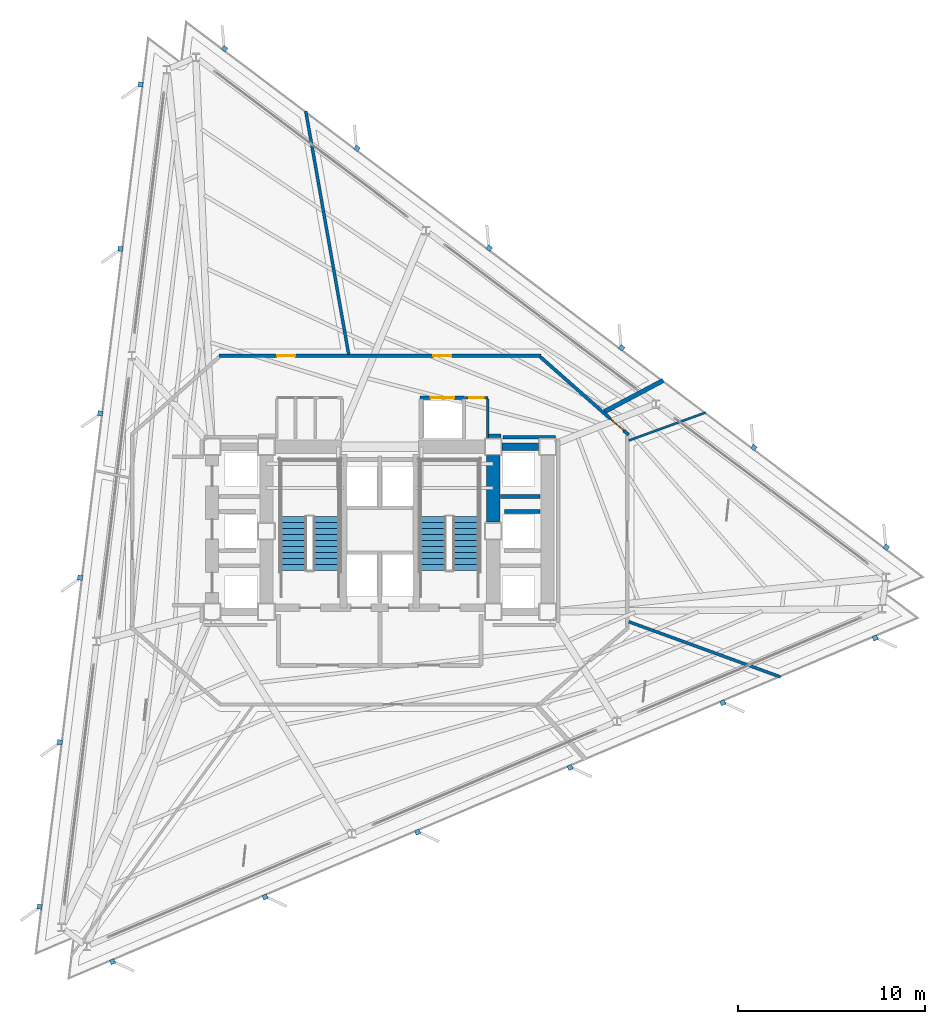
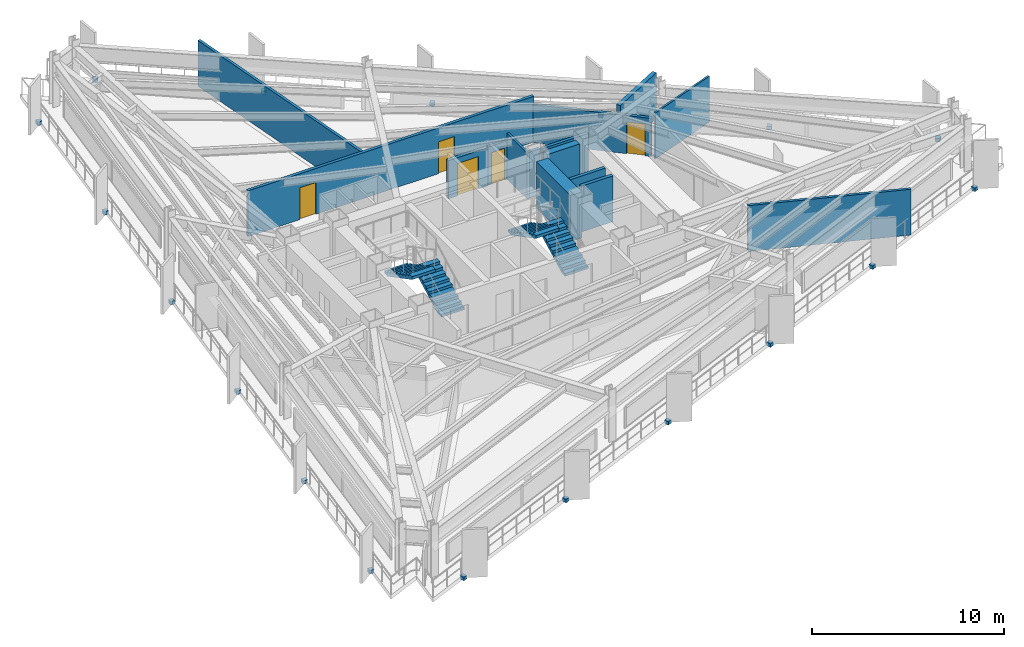
# One storey, part 8 of 13: 18 discrete accessories, 15 walls, 5 doors, 4 stair flights, 5 openings, 2 elements without a shape of their own.
"""IFC4 building model written with IfcOpenShell, lengths in metres."""

import ifcopenshell
import ifcopenshell.guid

model = None  # the IFC model being written
_history = None  # IfcOwnerHistory: only IFC2X3 demands one
_inside = {}  # id of a spatial element -> (the spatial element, [elements in it])
_under = {}  # id of a project, library or spatial element -> (it, [spatial elements below it])
_declared = {}  # id of a project -> (the project, [libraries it declares])
_typed = {}  # id of a type object -> (the type object, [elements of that type])
_made_of = {}  # id of a material, layer set ... -> (it, [elements and type objects made of it])


def new_model(schema):
    """Start an empty IFC model of exactly this schema.

    Asked for "IFC4X3", IfcOpenShell would pick the latest addendum, in which some entities
    have other attributes; the version numbers below select the first issue.
    IFC2X3 requires an IfcOwnerHistory on every rooted entity: one is made here for all.
    """
    global model, _history
    if schema == "IFC4X3":
        model = ifcopenshell.file(schema_version=(4, 3, 0, 0))
    else:
        model = ifcopenshell.file(schema=schema)
    _inside.clear()
    _under.clear()
    _declared.clear()
    _typed.clear()
    _made_of.clear()
    _history = None
    if model.schema == "IFC2X3":
        org = make("IfcOrganization", Name="unknown")
        user = make(
            "IfcPersonAndOrganization",
            ThePerson=make("IfcPerson", FamilyName="unknown"),
            TheOrganization=org,
        )
        app = make(
            "IfcApplication",
            ApplicationDeveloper=org,
            Version="unknown",
            ApplicationFullName="unknown",
            ApplicationIdentifier="unknown",
        )
        _history = make(
            "IfcOwnerHistory",
            OwningUser=user,
            OwningApplication=app,
            ChangeAction="ADDED",
            CreationDate=0,
        )
    return model


def make(cls, **values):
    """One entity of the class cls with the attributes given. An attribute that is None is left unset."""
    return model.create_entity(
        cls, **{name: value for name, value in values.items() if value is not None}
    )


def rooted(cls, **values):
    """An entity with a GlobalId (a new one), such as an element, a storey or a relation."""
    return make(cls, GlobalId=ifcopenshell.guid.new(), OwnerHistory=_history, **values)


def si_unit(unit_type, name, prefix=None):
    """IfcSIUnit, for example si_unit("LENGTHUNIT", "METRE", prefix="MILLI")."""
    return make("IfcSIUnit", UnitType=unit_type, Prefix=prefix, Name=name)


def assignment(units):
    """IfcUnitAssignment: the units of a project."""
    return None if units is None else make("IfcUnitAssignment", Units=units)


def point(xyz):
    """IfcCartesianPoint."""
    return None if xyz is None else make("IfcCartesianPoint", Coordinates=xyz)


def direction(xyz):
    """IfcDirection."""
    return None if xyz is None else make("IfcDirection", DirectionRatios=xyz)


def frame(location, z_axis=None, x_axis=None):
    """IfcAxis2Placement3D, a coordinate frame: its origin and axes. An axis left out is left unset."""
    return make(
        "IfcAxis2Placement3D",
        Location=point(location),
        Axis=direction(z_axis),
        RefDirection=direction(x_axis),
    )


def frame_2d(location, x_axis=None):
    """IfcAxis2Placement2D, a coordinate frame in the plane: its origin and x axis."""
    return make(
        "IfcAxis2Placement2D", Location=point(location), RefDirection=direction(x_axis)
    )


def origin():
    """The frame at (0, 0, 0) with its axes left unset."""
    return frame((0.0, 0.0, 0.0))


def origin_2d():
    """The frame at (0, 0) in the plane with its x axis left unset."""
    return frame_2d((0.0, 0.0))


def place(relative_to, where):
    """IfcLocalPlacement: puts the frame where relative to a parent placement (None: the world)."""
    return make(
        "IfcLocalPlacement", PlacementRelTo=relative_to, RelativePlacement=where
    )


def context(
    kind, dimensions, precision=None, world=None, true_north=None, identifier=None
):
    """IfcGeometricRepresentationContext, for example the 3D "Model" context."""
    return make(
        "IfcGeometricRepresentationContext",
        ContextIdentifier=identifier,
        ContextType=kind,
        CoordinateSpaceDimension=dimensions,
        Precision=precision,
        WorldCoordinateSystem=world,
        TrueNorth=true_north,
    )


def subcontext(parent, identifier, kind, view, scale=None):
    """IfcGeometricRepresentationSubContext, for example "Body" below "Model"."""
    return make(
        "IfcGeometricRepresentationSubContext",
        ContextIdentifier=identifier,
        ContextType=kind,
        ParentContext=parent,
        TargetScale=scale,
        TargetView=view,
    )


def project(units=None, contexts=None):
    """IfcProject with its units and contexts."""
    return rooted(
        "IfcProject",
        Name="project",
        RepresentationContexts=contexts,
        UnitsInContext=assignment(units),
    )


def spatial(cls, under=None, at=None, **own):
    """A site, building, storey or space (cls), placed at a placement, below another one or the project."""
    s = rooted(cls, ObjectPlacement=at, **own)
    if under is not None:
        _under.setdefault(under.id(), (under, []))[1].append(s)
    return s


def polyline(points):
    """IfcPolyline through the points."""
    return make("IfcPolyline", Points=[point(p) for p in points])


def profile(cls, at=None, kind="AREA", **sizes):
    """A parametric profile (cls). Its sizes go by their IFC names, for example OverallWidth=200.0."""
    return make(cls, ProfileType=kind, Position=at, **sizes)


def rectangle(**sizes):
    """IfcRectangleProfileDef."""
    return profile("IfcRectangleProfileDef", **sizes)


def outline(outer, holes=None, kind="AREA"):
    """IfcArbitraryClosedProfileDef: a profile drawn as a closed curve; with holes, ...WithVoids."""
    if holes is None:
        return make("IfcArbitraryClosedProfileDef", ProfileType=kind, OuterCurve=outer)
    return make(
        "IfcArbitraryProfileDefWithVoids",
        ProfileType=kind,
        OuterCurve=outer,
        InnerCurves=holes,
    )


def extrude(swept, where, along, depth):
    """IfcExtrudedAreaSolid: the profile swept, set in the frame where, extruded along a direction by depth."""
    return make(
        "IfcExtrudedAreaSolid",
        SweptArea=swept,
        Position=where,
        ExtrudedDirection=direction(along),
        Depth=depth,
    )


def shape(context_of_items, identifier, shape_type, items):
    """IfcShapeRepresentation: the items that make up one representation, for example the "Body"."""
    return make(
        "IfcShapeRepresentation",
        ContextOfItems=context_of_items,
        RepresentationIdentifier=identifier,
        RepresentationType=shape_type,
        Items=items,
    )


def material(Name=None, Category=None):
    """IfcMaterial."""
    return make("IfcMaterial", Name=Name, Category=Category)


def layer(
    of_material, thickness, ventilated=None, Name=None, Category=None, Priority=None
):
    """IfcMaterialLayer: one layer of a wall or slab, of a material (None: an air gap)."""
    return make(
        "IfcMaterialLayer",
        Material=of_material,
        LayerThickness=thickness,
        IsVentilated=ventilated,
        Name=Name,
        Category=Category,
        Priority=Priority,
    )


def layer_set(layers, Name=None):
    """IfcMaterialLayerSet."""
    return make("IfcMaterialLayerSet", MaterialLayers=layers, LayerSetName=Name)


def made_of(thing, what):
    """Note that an element or type object is made of a material, layer set ...; save() writes the relation."""
    if what is not None:
        _made_of.setdefault(what.id(), (what, []))[1].append(thing)
    return thing


def type_object(cls, material=None, **own):
    """A type object (cls), such as IfcWallType, which elements share."""
    return made_of(rooted(cls, **own), material)


def element(
    cls,
    number,
    at=None,
    inside=None,
    cuts=None,
    type_object=None,
    material=None,
    context=None,
    identifier="Body",
    shape_type=None,
    held_by="IfcProductDefinitionShape",
    body=None,
    shapes=None,
    **own,
):
    """One element of the class cls, such as IfcWall. Its Tag is "e" and its number.

    at: its placement. inside: the storey or other place that contains it. cuts: it is an
    opening in that element (IfcRelVoidsElement). A single representation is given by context,
    identifier, shape_type and body (its items); several are given by shapes. held_by: the class
    of the entity that holds the representations. save() writes the other relations.
    """
    e = rooted(cls, Tag="e%d" % number, ObjectPlacement=at, **own)
    if body is not None:
        shapes = [shape(context, identifier, shape_type, body)]
    if shapes is not None:
        e.Representation = make(held_by, Representations=shapes)
    if inside is not None:
        _inside.setdefault(inside.id(), (inside, []))[1].append(e)
    if cuts is not None:
        rooted(
            "IfcRelVoidsElement", RelatingBuildingElement=cuts, RelatedOpeningElement=e
        )
    if type_object is not None:
        _typed.setdefault(type_object.id(), (type_object, []))[1].append(e)
    return made_of(e, material)


def fill(opening, filler):
    """IfcRelFillsElement: the door or window that sits in an opening."""
    return rooted(
        "IfcRelFillsElement",
        RelatingOpeningElement=opening,
        RelatedBuildingElement=filler,
    )


def aggregate(whole, parts):
    """IfcRelAggregates: a whole, such as a stair, and the parts it consists of."""
    return rooted("IfcRelAggregates", RelatingObject=whole, RelatedObjects=parts)


def save(model, path):
    """Write the relations noted so far, then the file.

    IfcRelAggregates (storeys below a building ...), IfcRelContainedInSpatialStructure (elements
    in a storey), IfcRelDefinesByType, IfcRelAssociatesMaterial and IfcRelDeclares: one each for
    every whole, place, type object, material and project.
    """
    for whole, parts in _under.values():
        aggregate(whole, parts)
    for where, things in _inside.values():
        rooted(
            "IfcRelContainedInSpatialStructure",
            RelatedElements=things,
            RelatingStructure=where,
        )
    for kind, things in _typed.values():
        rooted("IfcRelDefinesByType", RelatedObjects=things, RelatingType=kind)
    for what, things in _made_of.values():
        rooted("IfcRelAssociatesMaterial", RelatedObjects=things, RelatingMaterial=what)
    for by, libraries in _declared.values():
        rooted("IfcRelDeclares", RelatingContext=by, RelatedDefinitions=libraries)
    model.write(path)


model = new_model("IFC4")

# Units and contexts
model_context = context("Model", 3, precision=1e-05, world=origin(), true_north=direction((0.0, 1.0)))
body_context = subcontext(model_context, "Body", "Model", "MODEL_VIEW")
ifc_project = project(units=[si_unit("LENGTHUNIT", "METRE"), si_unit("AREAUNIT", "SQUARE_METRE"), si_unit("VOLUMEUNIT", "CUBIC_METRE"), si_unit("PLANEANGLEUNIT", "RADIAN"), si_unit("MASSUNIT", "GRAM", prefix="KILO")], contexts=[model_context])

# Site, building, storey
site_placement = place(None, origin())
site = spatial("IfcSite", under=ifc_project, at=site_placement, CompositionType="ELEMENT")
building_placement = place(site_placement, origin())
building = spatial("IfcBuilding", under=site, at=building_placement, Name="Rocaltana Carrier Exchange", CompositionType="ELEMENT")
storey_placement = place(building_placement, frame((0.0, 0.0, 73.1201171875)))
storey = spatial("IfcBuildingStorey", under=building, at=storey_placement, Name="L22", CompositionType="ELEMENT", Elevation=73.1201171875)

# Walls
ifc_material_1 = material(Name="Double Acoustic Gypsum Partition", Category="gypsum")
ifc_layer_1 = layer(ifc_material_1, 0.159912109375)
ifc_layer_set_1 = layer_set([ifc_layer_1], Name="Double Acoustic Gypsum Partition")
wall_type_1 = type_object("IfcWallType", Name="Acoustic Studio Partition 160 EI60", PredefinedType="PARTITIONING", material=ifc_layer_set_1)
wall_1_placement = place(storey_placement, frame((13.280029296875, -4.83349609375, 0.0), z_axis=(0.0, 0.0, 1.0), x_axis=(0.939687597414, -0.342033944611, 0.0)))
element("IfcWall", 1, at=wall_1_placement, inside=storey, type_object=wall_type_1, Name="L22 Suite Divider Wall D3", PredefinedType="PARTITIONING", context=body_context, shape_type="SweptSolid", body=[
    extrude(rectangle(XDim=8.62548828125, YDim=0.159912109375, at=frame_2d((4.312744140625, 0.0))), origin(), (0.0, 0.0, 1.0), 2.912841796875),
])
wall_2_placement = place(storey_placement, frame((-1.662841796875, 9.429931640625, 0.0), z_axis=(0.0, 0.0, 1.0), x_axis=(-0.17364798238, 0.984807787446, 0.0)))
element("IfcWall", 2, at=wall_2_placement, inside=storey, type_object=wall_type_1, Name="L22 Suite Divider Wall D6", PredefinedType="PARTITIONING", context=body_context, shape_type="SweptSolid", body=[
    extrude(rectangle(XDim=13.18212890625, YDim=0.159912109375, at=frame_2d((6.591064453125, 0.0))), origin(), (0.0, 0.0, 1.0), 2.912841796875),
])
ifc_material_2 = material(Name="Concrete C50/60", Category="concrete")
ifc_layer_2 = layer(ifc_material_2, 0.39990234375)
ifc_layer_set_2 = layer_set([ifc_layer_2], Name="Concrete C50/60")
wall_type_2 = type_object("IfcWallType", Name="Core Internal Shear Wall 400", PredefinedType="SHEAR", material=ifc_layer_set_2)
wall_3_placement = place(storey_placement, frame((6.52490234375, 4.5, 0.0), z_axis=(0.0, 0.0, 1.0), x_axis=(1.0, 0.0, 0.0)))
element("IfcWall", 3, at=wall_3_placement, inside=storey, type_object=wall_type_2, Name="L22 Core Shear Wall CW-EWN", PredefinedType="SHEAR", context=body_context, shape_type="SweptSolid", body=[
    extrude(rectangle(XDim=1.9501953125, YDim=0.39990234375, at=frame_2d((0.97509765625, 0.0))), origin(), (0.0, 0.0, 1.0), 2.93798828125),
])
ifc_material_3 = material(Name="Concrete C60/75", Category="concrete")
ifc_layer_3 = layer(ifc_material_3, 0.699951171875)
ifc_layer_set_3 = layer_set([ifc_layer_3], Name="Concrete C60/75")
wall_type_3 = type_object("IfcWallType", Name="Core Shear Wall 700", PredefinedType="SHEAR", material=ifc_layer_set_3)
wall_4_placement = place(storey_placement, frame((6.050048828125, 0.47509765625, 0.0), z_axis=(0.0, 0.0, 1.0), x_axis=(0.0, 1.0, 0.0)))
element("IfcWall", 4, at=wall_4_placement, inside=storey, type_object=wall_type_3, Name="L22 Core Shear Wall CW-EN", PredefinedType="SHEAR", context=body_context, shape_type="SweptSolid", body=[
    extrude(rectangle(XDim=3.5498046875, YDim=0.699951171875, at=frame_2d((1.77490234375, 0.0))), origin(), (0.0, 0.0, 1.0), 2.93798828125),
])

# Wall, openings, doors
ifc_material_4 = material(Name="Gypsum & Steel Stud Partition", Category="steel")
ifc_layer_4 = layer(ifc_material_4, 0.179931640625)
ifc_layer_set_4 = layer_set([ifc_layer_4], Name="Gypsum & Steel Stud Partition")
wall_type_4 = type_object("IfcWallType", Name="Corridor Fire Partition 180 EI60", PredefinedType="PARTITIONING", material=ifc_layer_set_4)
wall_5_placement = place(storey_placement, frame((-8.590087890625, 9.35009765625, 0.0), z_axis=(0.0, 0.0, 1.0), x_axis=(1.0, 0.0, 0.0)))
wall_5 = element("IfcWall", 5, at=wall_5_placement, inside=storey, type_object=wall_type_4, Name="L22 Corridor Partition 1", PredefinedType="PARTITIONING", context=body_context, shape_type="SweptSolid", body=[
    extrude(rectangle(XDim=17.18017578125, YDim=0.179931640625, at=frame_2d((8.590087890625, 0.0))), origin(), (0.0, 0.0, 1.0), 2.912841796875),
])
opening_1_placement = place(wall_5_placement, frame((11.444091796875, 0.0, 0.0)))
opening_1 = element("IfcOpeningElement", 6, at=opening_1_placement, cuts=wall_5, Name="Opening D-RM098", PredefinedType="OPENING", context=body_context, shape_type="SweptSolid", body=[
    extrude(rectangle(XDim=0.9599609375, YDim=2.02001953125, at=frame_2d((0.47998046875, 1.010009765625))), frame((0.0, 0.099853515625, 0.0), z_axis=(0.0, -1.0, 0.0), x_axis=(1.0, 0.0, 0.0)), (0.0, 0.0, 1.0), 0.199951171875),
])
opening_2_placement = place(wall_5_placement, frame((3.11328125, 0.0, 0.0)))
opening_2 = element("IfcOpeningElement", 7, at=opening_2_placement, cuts=wall_5, Name="Opening D-RM098", PredefinedType="OPENING", context=body_context, shape_type="SweptSolid", body=[
    extrude(rectangle(XDim=0.9599609375, YDim=2.02001953125, at=frame_2d((0.47998046875, 1.010009765625))), frame((0.0, 0.099853515625, 0.0), z_axis=(0.0, -1.0, 0.0), x_axis=(1.0, 0.0, 0.0)), (0.0, 0.0, 1.0), 0.199951171875),
])
ifc_material_5 = material(Name="Engineered Hardwood Timber", Category="wood")
door_type_1 = type_object("IfcDoorType", Name="Workspace Single Door 960x2020", OperationType="NOTDEFINED", PredefinedType="DOOR", material=ifc_material_5)
door_1_placement = place(opening_1_placement, origin())
door_1 = element("IfcDoor", 8, at=door_1_placement, inside=storey, type_object=door_type_1, Name="L22 Network Operations Office Entrance Door", OperationType="SINGLE_SWING_RIGHT", OverallHeight=2.02001953125, OverallWidth=0.9599609375, PredefinedType="DOOR", context=body_context, shape_type="SweptSolid", body=[
    extrude(rectangle(XDim=0.9599609375, YDim=2.02001953125, at=frame_2d((0.47998046875, 1.010009765625))), frame((0.0, 0.02490234375, 0.0), z_axis=(0.0, -1.0, 0.0), x_axis=(1.0, 0.0, 0.0)), (0.0, 0.0, 1.0), 0.050048828125),
])
fill(opening_1, door_1)
door_2_placement = place(opening_2_placement, origin())
door_2 = element("IfcDoor", 9, at=door_2_placement, inside=storey, type_object=door_type_1, Name="L22 Quiet Focus Lounge Entrance Door", OperationType="SINGLE_SWING_LEFT", OverallHeight=2.02001953125, OverallWidth=0.9599609375, PredefinedType="DOOR", context=body_context, shape_type="SweptSolid", body=[
    extrude(rectangle(XDim=0.9599609375, YDim=2.02001953125, at=frame_2d((0.47998046875, 1.010009765625))), frame((0.0, 0.02490234375, 0.0), z_axis=(0.0, -1.0, 0.0), x_axis=(1.0, 0.0, 0.0)), (0.0, 0.0, 1.0), 0.050048828125),
])
fill(opening_2, door_2)

# Wall, opening, door
wall_6_placement = place(storey_placement, frame((8.5673828125, 9.290283203125, 0.0), z_axis=(0.0, 0.0, 1.0), x_axis=(0.749626463267, -0.66186113768, 0.0)))
wall_6 = element("IfcWall", 10, at=wall_6_placement, inside=storey, type_object=wall_type_4, Name="L22 Corridor Partition 2", PredefinedType="PARTITIONING", context=body_context, shape_type="SweptSolid", body=[
    extrude(rectangle(XDim=6.27001953125, YDim=0.179931640625, at=frame_2d((3.135009765625, 0.0))), origin(), (0.0, 0.0, 1.0), 2.427001953125),
])
opening_3_placement = place(wall_6_placement, frame((4.972412109375, 0.0, 0.0)))
opening_3 = element("IfcOpeningElement", 11, at=opening_3_placement, cuts=wall_6, Name="Opening D-RM098", PredefinedType="OPENING", context=body_context, shape_type="SweptSolid", body=[
    extrude(rectangle(XDim=0.9599609375, YDim=2.02001953125, at=frame_2d((0.47998046875, 1.010009765625))), frame((0.0, 0.099853515625, 0.0), z_axis=(0.0, -1.0, 0.0), x_axis=(1.0, 0.0, 0.0)), (0.0, 0.0, 1.0), 0.199951171875),
])
door_3_placement = place(opening_3_placement, origin())
door_3 = element("IfcDoor", 12, at=door_3_placement, inside=storey, type_object=door_type_1, Name="L22 Peering Conference Room Entrance Door", OperationType="SINGLE_SWING_LEFT", OverallHeight=2.02001953125, OverallWidth=0.9599609375, PredefinedType="DOOR", context=body_context, shape_type="SweptSolid", body=[
    extrude(rectangle(XDim=0.9599609375, YDim=2.02001953125, at=frame_2d((0.47998046875, 1.010009765625))), frame((0.0, 0.02490234375, 0.0), z_axis=(0.0, -1.0, 0.0), x_axis=(1.0, 0.0, 0.0)), (0.0, 0.0, 1.0), 0.050048828125),
])
fill(opening_3, door_3)

# Walls
wall_7_placement = place(storey_placement, frame((9.3701171875, 5.010009765625, 0.0), z_axis=(0.0, 0.0, 1.0), x_axis=(-1.0, 0.0, 0.0)))
element("IfcWall", 13, at=wall_7_placement, inside=storey, type_object=wall_type_4, Name="L22 Corridor Partition 18", PredefinedType="PARTITIONING", context=body_context, shape_type="SweptSolid", body=[
    extrude(rectangle(XDim=2.807861328125, YDim=0.179931640625, at=frame_2d((1.40380859375, 0.0))), origin(), (0.0, 0.0, 1.0), 2.912841796875),
])
wall_8_placement = place(storey_placement, frame((6.469970703125, 5.080078125, 0.0), z_axis=(0.0, 0.0, 1.0), x_axis=(-1.0, 0.0, 0.0)))
element("IfcWall", 14, at=wall_8_placement, inside=storey, type_object=wall_type_4, Name="L22 Corridor Partition 19", PredefinedType="PARTITIONING", context=body_context, shape_type="SweptSolid", body=[
    extrude(rectangle(XDim=0.679931640625, YDim=0.179931640625, at=frame_2d((0.33984375, 0.0))), origin(), (0.0, 0.0, 1.0), 2.912841796875),
])
ifc_material_6 = material(Name="Aluminium 6063-T6 & Acoustic Glass", Category="aluminium")
ifc_layer_5 = layer(ifc_material_6, 0.114990234375)
ifc_layer_set_5 = layer_set([ifc_layer_5], Name="Aluminium 6063-T6 & Acoustic Glass")
wall_type_5 = type_object("IfcWallType", Name="Demountable Glazed Lab Partition 115", PredefinedType="MOVABLE", material=ifc_layer_set_5)
wall_9_placement = place(storey_placement, frame((13.280029296875, 4.83349609375, 0.0), z_axis=(0.0, 0.0, 1.0), x_axis=(0.939689084441, 0.342029859198, 0.0)))
element("IfcWall", 15, at=wall_9_placement, inside=storey, type_object=wall_type_5, Name="L22 Suite Divider Wall D4", PredefinedType="MOVABLE", context=body_context, shape_type="SweptSolid", body=[
    extrude(rectangle(XDim=4.374267578125, YDim=0.114990234375, at=frame_2d((2.18701171875, 0.0))), origin(), (0.0, 0.0, 1.0), 2.912841796875),
])
ifc_material_7 = material(Name="Acoustic Calcium Silicate Partition", Category="gypsum")
ifc_layer_6 = layer(ifc_material_7, 0.239990234375)
ifc_layer_set_6 = layer_set([ifc_layer_6], Name="Acoustic Calcium Silicate Partition")
wall_type_6 = type_object("IfcWallType", Name="Heavy Lab Partition 240 EI90", PredefinedType="PARTITIONING", material=ifc_layer_set_6)
wall_10_placement = place(storey_placement, frame((11.989990234375, 6.375244140625, 0.0), z_axis=(0.0, 0.0, 1.0), x_axis=(0.882950733712, 0.469465655654, 0.0)))
element("IfcWall", 16, at=wall_10_placement, inside=storey, type_object=wall_type_6, Name="L22 Suite Divider Wall D5", PredefinedType="PARTITIONING", context=body_context, shape_type="SweptSolid", body=[
    extrude(rectangle(XDim=3.545654296875, YDim=0.239990234375, at=frame_2d((1.77294921875, 0.0))), origin(), (0.0, 0.0, 1.0), 2.912841796875),
])

# Wall, opening, door
ifc_material_8 = material(Name="Reinforced Concrete Block C35/45", Category="concrete")
ifc_layer_7 = layer(ifc_material_8, 0.199951171875)
ifc_layer_set_7 = layer_set([ifc_layer_7], Name="Reinforced Concrete Block C35/45")
wall_type_7 = type_object("IfcWallType", Name="Lift Hoistway Enclosure Wall 200 EI120", PredefinedType="PARTITIONING", material=ifc_layer_set_7)
wall_11_placement = place(storey_placement, frame((2.14990234375, 7.1201171875, 0.0), z_axis=(0.0, 0.0, 1.0), x_axis=(1.0, 0.0, 0.0)))
wall_11 = element("IfcWall", 17, at=wall_11_placement, inside=storey, type_object=wall_type_7, Name="L22 Goods Lift Front Wall", PredefinedType="PARTITIONING", context=body_context, shape_type="SweptSolid", body=[
    extrude(rectangle(XDim=2.380126953125, YDim=0.199951171875, at=frame_2d((1.18994140625, 0.0))), origin(), (0.0, 0.0, 1.0), 2.427001953125),
])
opening_4_placement = place(wall_11_placement, frame((0.56005859375, 0.0, 0.0)))
opening_4 = element("IfcOpeningElement", 18, at=opening_4_placement, cuts=wall_11, Name="Opening LD-130", PredefinedType="OPENING", context=body_context, shape_type="SweptSolid", body=[
    extrude(rectangle(XDim=1.260009765625, YDim=2.06005859375, at=frame_2d((0.6298828125, 1.030029296875))), frame((0.0, 0.10986328125, 0.0), z_axis=(0.0, -1.0, 0.0), x_axis=(1.0, 0.0, 0.0)), (0.0, 0.0, 1.0), 0.219970703125),
])
ifc_material_9 = material(Name="Brushed Stainless Sliding Door Leaf", Category="steel")
door_type_2 = type_object("IfcDoorType", Name="Goods Lift Landing Sliding Door 1260x2060", OperationType="NOTDEFINED", PredefinedType="DOOR", material=ifc_material_9)
door_4_placement = place(opening_4_placement, origin())
door_4 = element("IfcDoor", 19, at=door_4_placement, inside=storey, type_object=door_type_2, Name="L22 Goods Lift GL-1 Landing Door", OperationType="SLIDING_TO_LEFT", OverallHeight=2.06005859375, OverallWidth=1.260009765625, PredefinedType="DOOR", context=body_context, shape_type="SweptSolid", body=[
    extrude(rectangle(XDim=1.260009765625, YDim=2.06005859375, at=frame_2d((0.6298828125, 1.030029296875))), frame((0.0, 0.02490234375, 0.0), z_axis=(0.0, -1.0, 0.0), x_axis=(1.0, 0.0, 0.0)), (0.0, 0.0, 1.0), 0.050048828125),
])
fill(opening_4, door_4)

# Walls
wall_12_placement = place(storey_placement, frame((6.449951171875, 1.85009765625, 0.0), z_axis=(0.0, 0.0, 1.0), x_axis=(1.0, 0.0, 0.0)))
element("IfcWall", 20, at=wall_12_placement, inside=storey, type_object=wall_type_7, Name="L22 Mid-Rise Shaft Divider 2", PredefinedType="PARTITIONING", context=body_context, shape_type="SweptSolid", body=[
    extrude(rectangle(XDim=2.10009765625, YDim=0.199951171875, at=frame_2d((1.050048828125, 0.0))), origin(), (0.0, 0.0, 1.0), 2.912841796875),
])
wall_13_placement = place(storey_placement, frame((6.639892578125, 1.050048828125, 0.0), z_axis=(0.0, 0.0, 1.0), x_axis=(1.0, 0.0, 0.0)))
element("IfcWall", 21, at=wall_13_placement, inside=storey, type_object=wall_type_7, Name="L22 Mid-Rise Center Shaft Wall North", PredefinedType="PARTITIONING", context=body_context, shape_type="SweptSolid", body=[
    extrude(rectangle(XDim=1.91015625, YDim=0.199951171875, at=frame_2d((0.955078125, 0.0))), origin(), (0.0, 0.0, 1.0), 2.912841796875),
])
ifc_material_10 = material(Name="Moisture-Resistant Masonry C30/37", Category="masonry")
ifc_layer_8 = layer(ifc_material_10, 0.139892578125)
ifc_layer_set_8 = layer_set([ifc_layer_8], Name="Moisture-Resistant Masonry C30/37")
wall_type_8 = type_object("IfcWallType", Name="Wet-Area Sanitary Partition 140", PredefinedType="PARTITIONING", material=ifc_layer_set_8)
wall_14_placement = place(storey_placement, frame((5.760009765625, 4.949951171875, 0.0), z_axis=(0.0, 0.0, 1.0), x_axis=(0.0, 1.0, 0.0)))
element("IfcWall", 22, at=wall_14_placement, inside=storey, type_object=wall_type_8, Name="L22 Riser East Wall", PredefinedType="PARTITIONING", context=body_context, shape_type="SweptSolid", body=[
    extrude(rectangle(XDim=2.10009765625, YDim=0.139892578125, at=frame_2d((1.050048828125, 0.0))), origin(), (0.0, 0.0, 1.0), 2.912841796875),
])

# Wall, opening, door
wall_15_placement = place(storey_placement, frame((4.56005859375, 7.1201171875, 0.0), z_axis=(0.0, 0.0, 1.0), x_axis=(1.0, 0.0, 0.0)))
wall_15 = element("IfcWall", 23, at=wall_15_placement, inside=storey, type_object=wall_type_8, Name="L22 Riser North Wall", PredefinedType="PARTITIONING", context=body_context, shape_type="SweptSolid", body=[
    extrude(rectangle(XDim=1.199951171875, YDim=0.139892578125, at=frame_2d((0.60009765625, 0.0))), origin(), (0.0, 0.0, 1.0), 2.427001953125),
])
opening_5_placement = place(wall_15_placement, frame((0.2099609375, 0.0, 0.0)))
opening_5 = element("IfcOpeningElement", 24, at=opening_5_placement, cuts=wall_15, Name="Opening D-RS082", PredefinedType="OPENING", context=body_context, shape_type="SweptSolid", body=[
    extrude(rectangle(XDim=0.780029296875, YDim=2.010009765625, at=frame_2d((0.39013671875, 1.0048828125))), frame((0.0, 0.079833984375, 0.0), z_axis=(0.0, -1.0, 0.0), x_axis=(1.0, 0.0, 0.0)), (0.0, 0.0, 1.0), 0.159912109375),
])
ifc_material_11 = material(Name="Hollow Metal Access Door Leaf", Category="steel")
door_type_3 = type_object("IfcDoorType", Name="Riser & Service Closet Door 780x2010", OperationType="NOTDEFINED", PredefinedType="DOOR", material=ifc_material_11)
door_5_placement = place(opening_5_placement, origin())
door_5 = element("IfcDoor", 25, at=door_5_placement, inside=storey, type_object=door_type_3, Name="L22 Signal Riser Closet Door", OperationType="SINGLE_SWING_RIGHT", OverallHeight=2.010009765625, OverallWidth=0.780029296875, PredefinedType="DOOR", context=body_context, shape_type="SweptSolid", body=[
    extrude(rectangle(XDim=0.780029296875, YDim=2.010009765625, at=frame_2d((0.39013671875, 1.0048828125))), frame((0.0, 0.02490234375, 0.0), z_axis=(0.0, -1.0, 0.0), x_axis=(1.0, 0.0, 0.0)), (0.0, 0.0, 1.0), 0.050048828125),
])
fill(opening_5, door_5)

# Stair, stair flights
ifc_material_12 = material(Name="Precast concrete C45/55", Category="concrete")
stair_type = type_object("IfcStairType", Name="Standard Dog-Leg Stair 160", PredefinedType="HALF_TURN_STAIR", material=ifc_material_12)
stair_1_placement = place(storey_placement, origin())
stair_1 = element("IfcStair", 26, at=stair_1_placement, inside=storey, type_object=stair_type, Name="L22 Core West Exit Stair ST-1", PredefinedType="HALF_TURN_STAIR")
ifc_material_13 = material(Name="Precast concrete C45/55", Category="concrete")
stair_flight_type = type_object("IfcStairFlightType", Name="Precast Stair Flight 160", PredefinedType="STRAIGHT", material=ifc_material_13)
stair_flight_1_placement = place(storey_placement, frame((-2.840087890625, -2.10009765625, 0.0), z_axis=(0.0, 0.0, 1.0), x_axis=(0.0, 1.0, 0.0)))
stair_flight_1 = element("IfcStairFlight", 27, at=stair_flight_1_placement, type_object=stair_flight_type, Name="ST-1 flight 1", NumberOfRisers=10, NumberOfTreads=9, PredefinedType="STRAIGHT", RiserHeight=0.168, TreadLength=0.32, context=body_context, shape_type="SweptSolid", body=[
    extrude(outline(polyline([(0.0, 0.0), (0.0, 0.16796875), (0.320068359375, 0.16796875), (0.320068359375, 0.3359375), (0.639892578125, 0.3359375), (0.639892578125, 0.50390625), (0.9599609375, 0.50390625), (0.9599609375, 0.672119140625), (1.280029296875, 0.672119140625), (1.280029296875, 0.840087890625), (1.60009765625, 0.840087890625), (1.60009765625, 1.008056640625), (1.919921875, 1.008056640625), (1.919921875, 1.176025390625), (2.239990234375, 1.176025390625), (2.239990234375, 1.343994140625), (2.56005859375, 1.343994140625), (2.56005859375, 1.511962890625), (2.8798828125, 1.511962890625), (2.8798828125, 1.679931640625), (2.8798828125, 1.331298828125), (0.343994140625, 0.0), (0.0, 0.0)])), frame((0.0, 0.699951171875, 0.0), z_axis=(0.0, -1.0, 0.0), x_axis=(1.0, 0.0, 0.0)), (0.0, 0.0, 1.0), 1.39990234375),
])
stair_flight_2_placement = place(storey_placement, frame((-4.60009765625, 0.780029296875, 1.679931640625), z_axis=(0.0, 0.0, 1.0), x_axis=(0.0, -1.0, 0.0)))
stair_flight_2 = element("IfcStairFlight", 28, at=stair_flight_2_placement, type_object=stair_flight_type, Name="ST-1 flight 2", NumberOfRisers=10, NumberOfTreads=9, PredefinedType="STRAIGHT", RiserHeight=0.168, TreadLength=0.32, context=body_context, shape_type="SweptSolid", body=[
    extrude(outline(polyline([(0.0, 0.0), (0.0, 0.16796875), (0.320068359375, 0.16796875), (0.320068359375, 0.3359375), (0.639892578125, 0.3359375), (0.639892578125, 0.50390625), (0.9599609375, 0.50390625), (0.9599609375, 0.672119140625), (1.280029296875, 0.672119140625), (1.280029296875, 0.840087890625), (1.60009765625, 0.840087890625), (1.60009765625, 1.008056640625), (1.919921875, 1.008056640625), (1.919921875, 1.176025390625), (2.239990234375, 1.176025390625), (2.239990234375, 1.343994140625), (2.56005859375, 1.343994140625), (2.56005859375, 1.511962890625), (2.8798828125, 1.511962890625), (2.8798828125, 1.679931640625), (2.8798828125, 1.331298828125), (0.343994140625, 0.0), (0.0, 0.0)])), frame((0.0, 0.699951171875, 0.0), z_axis=(0.0, -1.0, 0.0), x_axis=(1.0, 0.0, 0.0)), (0.0, 0.0, 1.0), 1.39990234375),
])
aggregate(stair_1, [stair_flight_1, stair_flight_2])

stair_2_placement = place(storey_placement, origin())
stair_2 = element("IfcStair", 29, at=stair_2_placement, inside=storey, type_object=stair_type, Name="L22 Core East Exit Stair ST-2", PredefinedType="HALF_TURN_STAIR")
stair_flight_3_placement = place(storey_placement, frame((4.60009765625, -2.10009765625, 0.0), z_axis=(0.0, 0.0, 1.0), x_axis=(0.0, 1.0, 0.0)))
stair_flight_3 = element("IfcStairFlight", 30, at=stair_flight_3_placement, type_object=stair_flight_type, Name="ST-2 flight 1", NumberOfRisers=10, NumberOfTreads=9, PredefinedType="STRAIGHT", RiserHeight=0.168, TreadLength=0.32, context=body_context, shape_type="SweptSolid", body=[
    extrude(outline(polyline([(0.0, 0.0), (0.0, 0.16796875), (0.320068359375, 0.16796875), (0.320068359375, 0.3359375), (0.639892578125, 0.3359375), (0.639892578125, 0.50390625), (0.9599609375, 0.50390625), (0.9599609375, 0.672119140625), (1.280029296875, 0.672119140625), (1.280029296875, 0.840087890625), (1.60009765625, 0.840087890625), (1.60009765625, 1.008056640625), (1.919921875, 1.008056640625), (1.919921875, 1.176025390625), (2.239990234375, 1.176025390625), (2.239990234375, 1.343994140625), (2.56005859375, 1.343994140625), (2.56005859375, 1.511962890625), (2.8798828125, 1.511962890625), (2.8798828125, 1.679931640625), (2.8798828125, 1.331298828125), (0.343994140625, 0.0), (0.0, 0.0)])), frame((0.0, 0.699951171875, 0.0), z_axis=(0.0, -1.0, 0.0), x_axis=(1.0, 0.0, 0.0)), (0.0, 0.0, 1.0), 1.39990234375),
])
stair_flight_4_placement = place(storey_placement, frame((2.840087890625, 0.780029296875, 1.679931640625), z_axis=(0.0, 0.0, 1.0), x_axis=(0.0, -1.0, 0.0)))
stair_flight_4 = element("IfcStairFlight", 31, at=stair_flight_4_placement, type_object=stair_flight_type, Name="ST-2 flight 2", NumberOfRisers=10, NumberOfTreads=9, PredefinedType="STRAIGHT", RiserHeight=0.168, TreadLength=0.32, context=body_context, shape_type="SweptSolid", body=[
    extrude(outline(polyline([(0.0, 0.0), (0.0, 0.16796875), (0.320068359375, 0.16796875), (0.320068359375, 0.3359375), (0.639892578125, 0.3359375), (0.639892578125, 0.50390625), (0.9599609375, 0.50390625), (0.9599609375, 0.672119140625), (1.280029296875, 0.672119140625), (1.280029296875, 0.840087890625), (1.60009765625, 0.840087890625), (1.60009765625, 1.008056640625), (1.919921875, 1.008056640625), (1.919921875, 1.176025390625), (2.239990234375, 1.176025390625), (2.239990234375, 1.343994140625), (2.56005859375, 1.343994140625), (2.56005859375, 1.511962890625), (2.8798828125, 1.511962890625), (2.8798828125, 1.679931640625), (2.8798828125, 1.331298828125), (0.343994140625, 0.0), (0.0, 0.0)])), frame((0.0, 0.699951171875, 0.0), z_axis=(0.0, -1.0, 0.0), x_axis=(1.0, 0.0, 0.0)), (0.0, 0.0, 1.0), 1.39990234375),
])
aggregate(stair_2, [stair_flight_3, stair_flight_4])

# Discrete accessories
ifc_material_14 = material(Name="Brushed Architectural Stainless Metal", Category="steel")
ifc_layer_9 = layer(ifc_material_14, 0.219970703125)
ifc_layer_set_9 = layer_set([ifc_layer_9], Name="Brushed Architectural Stainless Metal")
discrete_accessory_type = type_object("IfcDiscreteAccessoryType", Name="Stainless Fin Slab-Edge Bracket 260x260x220", PredefinedType="BRACKET", material=ifc_layer_set_9)
for number, where, z_axis, x_axis, name in (
    (32, (27.0205078125, -0.86474609375, -0.2099609375), (0.0, 0.0, 1.0), (-0.798635510047, 0.601815023152, 0.0), "L22 Sandstone Fin Edge Bracket F1-01"),
    (33, (19.960693359375, 4.455322265625, -0.2099609375), (0.0, 0.0, 1.0), (-0.798635510047, 0.601815023152, 0.0), "L22 Sandstone Fin Edge Bracket F1-02"),
    (34, (12.900634765625, 9.775390625, -0.2099609375), (0.0, 0.0, 1.0), (-0.798635510047, 0.601815023152, 0.0), "L22 Sandstone Fin Edge Bracket F1-03"),
    (35, (5.8408203125, 15.095458984375, -0.2099609375), (0.0, 0.0, 1.0), (-0.798635510047, 0.601815023152, 0.0), "L22 Sandstone Fin Edge Bracket F1-04"),
    (36, (-1.21923828125, 20.415283203125, -0.2099609375), (0.0, 0.0, 1.0), (-0.798635510047, 0.601815023152, 0.0), "L22 Sandstone Fin Edge Bracket F1-05"),
    (37, (-8.279296875, 25.7353515625, -0.2099609375), (0.0, 0.0, 1.0), (-0.798635510047, 0.601815023152, 0.0), "L22 Sandstone Fin Edge Bracket F1-06"),
    (38, (-12.76123046875, 23.8330078125, -0.2099609375), (0.0, 0.0, 1.0), (-0.121869343405, -0.992546151641, 0.0), "L22 Sandstone Fin Edge Bracket F2-01"),
    (39, (-13.838623046875, 15.058837890625, -0.2099609375), (0.0, 0.0, 1.0), (-0.121869343405, -0.992546151641, 0.0), "L22 Sandstone Fin Edge Bracket F2-02"),
    (40, (-14.916015625, 6.28466796875, -0.2099609375), (0.0, 0.0, 1.0), (-0.121869343405, -0.992546151641, 0.0), "L22 Sandstone Fin Edge Bracket F2-03"),
    (41, (-15.993408203125, -2.489501953125, -0.2099609375), (0.0, 0.0, 1.0), (-0.121869343405, -0.992546151641, 0.0), "L22 Sandstone Fin Edge Bracket F2-04"),
    (42, (-17.070556640625, -11.263671875, -0.2099609375), (0.0, 0.0, 1.0), (-0.121869343405, -0.992546151641, 0.0), "L22 Sandstone Fin Edge Bracket F2-05"),
    (43, (-18.14794921875, -20.03759765625, -0.2099609375), (0.0, 0.0, 1.0), (-0.121869343405, -0.992546151641, 0.0), "L22 Sandstone Fin Edge Bracket F2-06"),
    (44, (-14.25927734375, -22.968017578125, -0.2099609375), (0.0, 0.0, 1.0), (0.920504853452, 0.390731128489, 0.0), "L22 Sandstone Fin Edge Bracket F3-01"),
    (45, (-6.121826171875, -19.513916015625, -0.2099609375), (0.0, 0.0, 1.0), (0.920504853452, 0.390731128489, 0.0), "L22 Sandstone Fin Edge Bracket F3-02"),
    (46, (2.015380859375, -16.06005859375, -0.2099609375), (0.0, 0.0, 1.0), (0.920504853452, 0.390731128489, 0.0), "L22 Sandstone Fin Edge Bracket F3-03"),
    (47, (10.152587890625, -12.60595703125, -0.2099609375), (0.0, 0.0, 1.0), (0.920504853452, 0.390731128489, 0.0), "L22 Sandstone Fin Edge Bracket F3-04"),
    (48, (18.289794921875, -9.15185546875, -0.2099609375), (0.0, 0.0, 1.0), (0.920504853452, 0.390731128489, 0.0), "L22 Sandstone Fin Edge Bracket F3-05"),
    (49, (26.427001953125, -5.69775390625, -0.2099609375), (0.0, 0.0, 1.0), (0.920504853452, 0.390731128489, 0.0), "L22 Sandstone Fin Edge Bracket F3-06"),
):
    element("IfcDiscreteAccessory", number, at=place(storey_placement, frame(where, z_axis=z_axis, x_axis=x_axis)), inside=storey, type_object=discrete_accessory_type, Name=name, PredefinedType="BRACKET", context=body_context, shape_type="SweptSolid", body=[
        extrude(rectangle(XDim=0.260009765625, YDim=0.260009765625, at=origin_2d()), origin(), (0.0, 0.0, 1.0), 0.219970703125),
    ])

save(model, "model.ifc")
